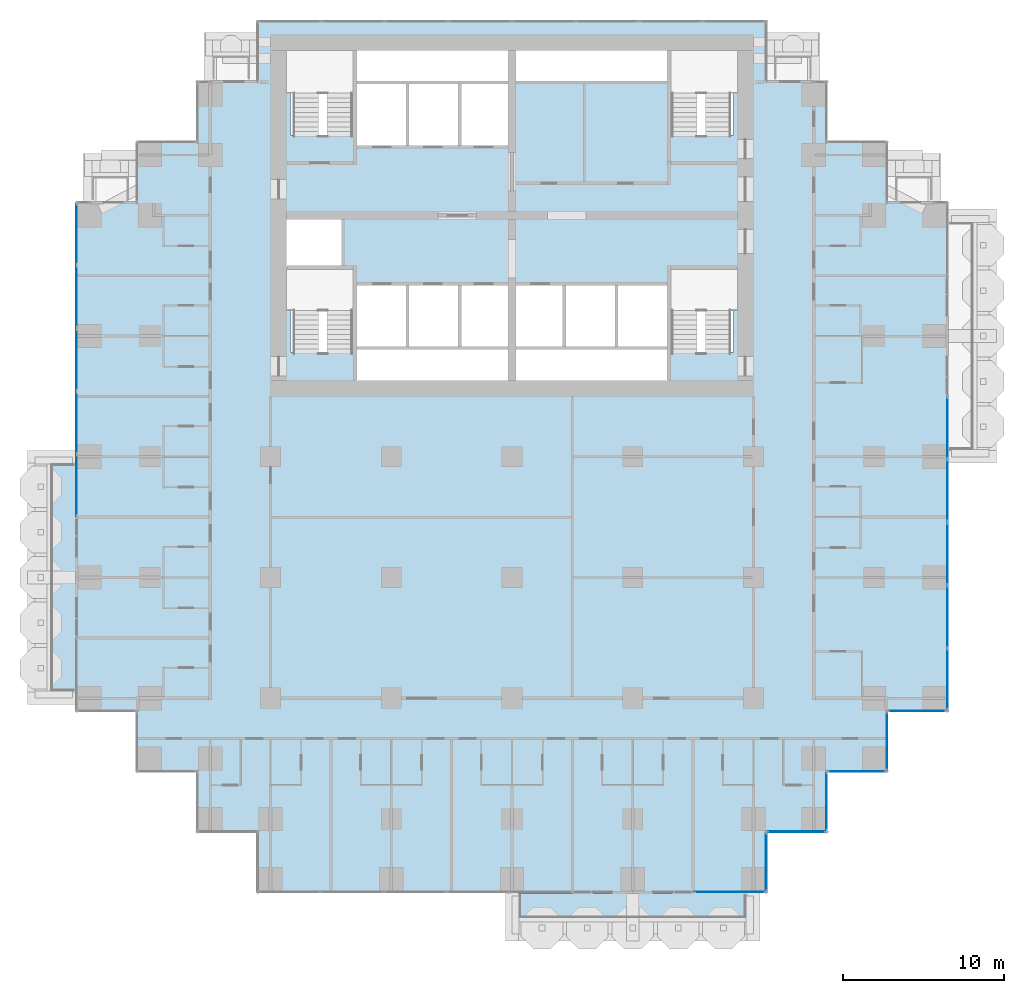
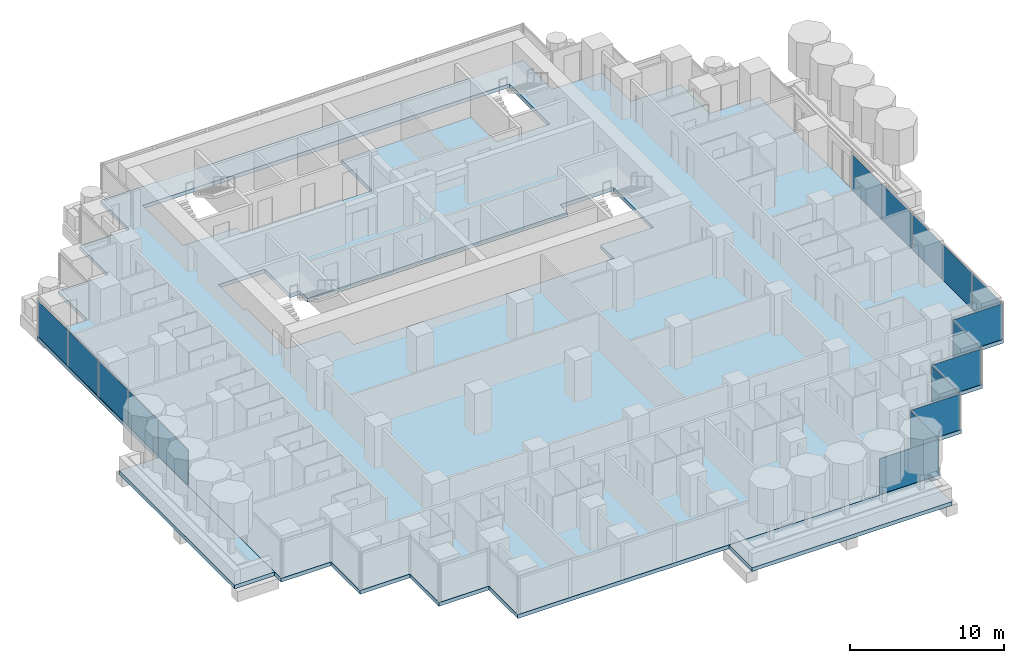
# One storey, part 8 of 20: 17 plates, 3 slabs, 11 elements without a shape of their own.
"""IFC4 building model written with IfcOpenShell, lengths in metres."""

import ifcopenshell
import ifcopenshell.guid

model = None  # the IFC model being written
_history = None  # IfcOwnerHistory: only IFC2X3 demands one
_inside = {}  # id of a spatial element -> (the spatial element, [elements in it])
_under = {}  # id of a project, library or spatial element -> (it, [spatial elements below it])
_declared = {}  # id of a project -> (the project, [libraries it declares])
_typed = {}  # id of a type object -> (the type object, [elements of that type])
_made_of = {}  # id of a material, layer set ... -> (it, [elements and type objects made of it])


def new_model(schema):
    """Start an empty IFC model of exactly this schema.

    Asked for "IFC4X3", IfcOpenShell would pick the latest addendum, in which some entities
    have other attributes; the version numbers below select the first issue.
    IFC2X3 requires an IfcOwnerHistory on every rooted entity: one is made here for all.
    """
    global model, _history
    if schema == "IFC4X3":
        model = ifcopenshell.file(schema_version=(4, 3, 0, 0))
    else:
        model = ifcopenshell.file(schema=schema)
    _inside.clear()
    _under.clear()
    _declared.clear()
    _typed.clear()
    _made_of.clear()
    _history = None
    if model.schema == "IFC2X3":
        org = make("IfcOrganization", Name="unknown")
        user = make(
            "IfcPersonAndOrganization",
            ThePerson=make("IfcPerson", FamilyName="unknown"),
            TheOrganization=org,
        )
        app = make(
            "IfcApplication",
            ApplicationDeveloper=org,
            Version="unknown",
            ApplicationFullName="unknown",
            ApplicationIdentifier="unknown",
        )
        _history = make(
            "IfcOwnerHistory",
            OwningUser=user,
            OwningApplication=app,
            ChangeAction="ADDED",
            CreationDate=0,
        )
    return model


def make(cls, **values):
    """One entity of the class cls with the attributes given. An attribute that is None is left unset."""
    return model.create_entity(
        cls, **{name: value for name, value in values.items() if value is not None}
    )


def rooted(cls, **values):
    """An entity with a GlobalId (a new one), such as an element, a storey or a relation."""
    return make(cls, GlobalId=ifcopenshell.guid.new(), OwnerHistory=_history, **values)


def si_unit(unit_type, name, prefix=None):
    """IfcSIUnit, for example si_unit("LENGTHUNIT", "METRE", prefix="MILLI")."""
    return make("IfcSIUnit", UnitType=unit_type, Prefix=prefix, Name=name)


def assignment(units):
    """IfcUnitAssignment: the units of a project."""
    return None if units is None else make("IfcUnitAssignment", Units=units)


def point(xyz):
    """IfcCartesianPoint."""
    return None if xyz is None else make("IfcCartesianPoint", Coordinates=xyz)


def direction(xyz):
    """IfcDirection."""
    return None if xyz is None else make("IfcDirection", DirectionRatios=xyz)


def frame(location, z_axis=None, x_axis=None):
    """IfcAxis2Placement3D, a coordinate frame: its origin and axes. An axis left out is left unset."""
    return make(
        "IfcAxis2Placement3D",
        Location=point(location),
        Axis=direction(z_axis),
        RefDirection=direction(x_axis),
    )


def frame_2d(location, x_axis=None):
    """IfcAxis2Placement2D, a coordinate frame in the plane: its origin and x axis."""
    return make(
        "IfcAxis2Placement2D", Location=point(location), RefDirection=direction(x_axis)
    )


def origin():
    """The frame at (0, 0, 0) with its axes left unset."""
    return frame((0.0, 0.0, 0.0))


def origin_2d():
    """The frame at (0, 0) in the plane with its x axis left unset."""
    return frame_2d((0.0, 0.0))


def place(relative_to, where):
    """IfcLocalPlacement: puts the frame where relative to a parent placement (None: the world)."""
    return make(
        "IfcLocalPlacement", PlacementRelTo=relative_to, RelativePlacement=where
    )


def context(
    kind, dimensions, precision=None, world=None, true_north=None, identifier=None
):
    """IfcGeometricRepresentationContext, for example the 3D "Model" context."""
    return make(
        "IfcGeometricRepresentationContext",
        ContextIdentifier=identifier,
        ContextType=kind,
        CoordinateSpaceDimension=dimensions,
        Precision=precision,
        WorldCoordinateSystem=world,
        TrueNorth=true_north,
    )


def subcontext(parent, identifier, kind, view, scale=None):
    """IfcGeometricRepresentationSubContext, for example "Body" below "Model"."""
    return make(
        "IfcGeometricRepresentationSubContext",
        ContextIdentifier=identifier,
        ContextType=kind,
        ParentContext=parent,
        TargetScale=scale,
        TargetView=view,
    )


def project(units=None, contexts=None):
    """IfcProject with its units and contexts."""
    return rooted(
        "IfcProject",
        Name="project",
        RepresentationContexts=contexts,
        UnitsInContext=assignment(units),
    )


def spatial(cls, under=None, at=None, **own):
    """A site, building, storey or space (cls), placed at a placement, below another one or the project."""
    s = rooted(cls, ObjectPlacement=at, **own)
    if under is not None:
        _under.setdefault(under.id(), (under, []))[1].append(s)
    return s


def polyline(points):
    """IfcPolyline through the points."""
    return make("IfcPolyline", Points=[point(p) for p in points])


def profile(cls, at=None, kind="AREA", **sizes):
    """A parametric profile (cls). Its sizes go by their IFC names, for example OverallWidth=200.0."""
    return make(cls, ProfileType=kind, Position=at, **sizes)


def rectangle(**sizes):
    """IfcRectangleProfileDef."""
    return profile("IfcRectangleProfileDef", **sizes)


def outline(outer, holes=None, kind="AREA"):
    """IfcArbitraryClosedProfileDef: a profile drawn as a closed curve; with holes, ...WithVoids."""
    if holes is None:
        return make("IfcArbitraryClosedProfileDef", ProfileType=kind, OuterCurve=outer)
    return make(
        "IfcArbitraryProfileDefWithVoids",
        ProfileType=kind,
        OuterCurve=outer,
        InnerCurves=holes,
    )


def extrude(swept, where, along, depth):
    """IfcExtrudedAreaSolid: the profile swept, set in the frame where, extruded along a direction by depth."""
    return make(
        "IfcExtrudedAreaSolid",
        SweptArea=swept,
        Position=where,
        ExtrudedDirection=direction(along),
        Depth=depth,
    )


def shape(context_of_items, identifier, shape_type, items):
    """IfcShapeRepresentation: the items that make up one representation, for example the "Body"."""
    return make(
        "IfcShapeRepresentation",
        ContextOfItems=context_of_items,
        RepresentationIdentifier=identifier,
        RepresentationType=shape_type,
        Items=items,
    )


def material(Name=None, Category=None):
    """IfcMaterial."""
    return make("IfcMaterial", Name=Name, Category=Category)


def layer(
    of_material, thickness, ventilated=None, Name=None, Category=None, Priority=None
):
    """IfcMaterialLayer: one layer of a wall or slab, of a material (None: an air gap)."""
    return make(
        "IfcMaterialLayer",
        Material=of_material,
        LayerThickness=thickness,
        IsVentilated=ventilated,
        Name=Name,
        Category=Category,
        Priority=Priority,
    )


def layer_set(layers, Name=None):
    """IfcMaterialLayerSet."""
    return make("IfcMaterialLayerSet", MaterialLayers=layers, LayerSetName=Name)


def made_of(thing, what):
    """Note that an element or type object is made of a material, layer set ...; save() writes the relation."""
    if what is not None:
        _made_of.setdefault(what.id(), (what, []))[1].append(thing)
    return thing


def type_object(cls, material=None, **own):
    """A type object (cls), such as IfcWallType, which elements share."""
    return made_of(rooted(cls, **own), material)


def element(
    cls,
    number,
    at=None,
    inside=None,
    cuts=None,
    type_object=None,
    material=None,
    context=None,
    identifier="Body",
    shape_type=None,
    held_by="IfcProductDefinitionShape",
    body=None,
    shapes=None,
    **own,
):
    """One element of the class cls, such as IfcWall. Its Tag is "e" and its number.

    at: its placement. inside: the storey or other place that contains it. cuts: it is an
    opening in that element (IfcRelVoidsElement). A single representation is given by context,
    identifier, shape_type and body (its items); several are given by shapes. held_by: the class
    of the entity that holds the representations. save() writes the other relations.
    """
    e = rooted(cls, Tag="e%d" % number, ObjectPlacement=at, **own)
    if body is not None:
        shapes = [shape(context, identifier, shape_type, body)]
    if shapes is not None:
        e.Representation = make(held_by, Representations=shapes)
    if inside is not None:
        _inside.setdefault(inside.id(), (inside, []))[1].append(e)
    if cuts is not None:
        rooted(
            "IfcRelVoidsElement", RelatingBuildingElement=cuts, RelatedOpeningElement=e
        )
    if type_object is not None:
        _typed.setdefault(type_object.id(), (type_object, []))[1].append(e)
    return made_of(e, material)


def aggregate(whole, parts):
    """IfcRelAggregates: a whole, such as a stair, and the parts it consists of."""
    return rooted("IfcRelAggregates", RelatingObject=whole, RelatedObjects=parts)


def save(model, path):
    """Write the relations noted so far, then the file.

    IfcRelAggregates (storeys below a building ...), IfcRelContainedInSpatialStructure (elements
    in a storey), IfcRelDefinesByType, IfcRelAssociatesMaterial and IfcRelDeclares: one each for
    every whole, place, type object, material and project.
    """
    for whole, parts in _under.values():
        aggregate(whole, parts)
    for where, things in _inside.values():
        rooted(
            "IfcRelContainedInSpatialStructure",
            RelatedElements=things,
            RelatingStructure=where,
        )
    for kind, things in _typed.values():
        rooted("IfcRelDefinesByType", RelatedObjects=things, RelatingType=kind)
    for what, things in _made_of.values():
        rooted("IfcRelAssociatesMaterial", RelatedObjects=things, RelatingMaterial=what)
    for by, libraries in _declared.values():
        rooted("IfcRelDeclares", RelatingContext=by, RelatedDefinitions=libraries)
    model.write(path)


model = new_model("IFC4")

# Units and contexts
model_context = context("Model", 3, precision=1e-05, world=origin(), true_north=direction((0.0, 1.0)))
body_context = subcontext(model_context, "Body", "Model", "MODEL_VIEW")
ifc_project = project(units=[si_unit("LENGTHUNIT", "METRE"), si_unit("AREAUNIT", "SQUARE_METRE"), si_unit("VOLUMEUNIT", "CUBIC_METRE"), si_unit("PLANEANGLEUNIT", "RADIAN"), si_unit("MASSUNIT", "GRAM", prefix="KILO")], contexts=[model_context])

# Site, building, storey
site_placement = place(None, origin())
site = spatial("IfcSite", under=ifc_project, at=site_placement, CompositionType="ELEMENT")
building_placement = place(site_placement, origin())
building = spatial("IfcBuilding", under=site, at=building_placement, Name="Pilkhan Gate Tower", CompositionType="ELEMENT")
storey_placement = place(building_placement, frame((0.0, 0.0, 85.699951171875)))
storey = spatial("IfcBuildingStorey", under=building, at=storey_placement, Name="L20", CompositionType="ELEMENT", Elevation=85.699951171875)

# Slabs
ifc_material_1 = material(Name="Concrete C60/75", Category="concrete")
ifc_layer_1 = layer(ifc_material_1, 0.300048828125)
ifc_layer_set_1 = layer_set([ifc_layer_1], Name="Balcony tray slab TR300")
slab_type_1 = type_object("IfcSlabType", Name="Balcony tray slab TR300", PredefinedType="FLOOR", material=ifc_layer_set_1)
slab_1_placement = place(storey_placement, frame((0.0, 0.0, -0.300048828125)))
element("IfcSlab", 1, at=slab_1_placement, inside=storey, type_object=slab_type_1, Name="Balcony tray L20 S", PredefinedType="FLOOR", context=body_context, shape_type="SweptSolid", body=[
    extrude(outline(polyline([(90.0, 37.39990234375), (90.0, 40.39990234375), (75.0, 40.39990234375), (75.0, 37.39990234375), (90.0, 37.39990234375)])), origin(), (0.0, 0.0, 1.0), 0.300048828125),
])
slab_2_placement = place(storey_placement, frame((0.0, 0.0, -0.300048828125)))
element("IfcSlab", 2, at=slab_2_placement, inside=storey, type_object=slab_type_1, Name="Balcony tray L20 W", PredefinedType="FLOOR", context=body_context, shape_type="SweptSolid", body=[
    extrude(outline(polyline([(47.89990234375, 52.5), (47.89990234375, 67.5), (44.89990234375, 67.5), (44.89990234375, 52.5), (47.89990234375, 52.5)])), origin(), (0.0, 0.0, 1.0), 0.300048828125),
])
ifc_material_2 = material(Name="Concrete C40/50", Category="concrete")
ifc_layer_2 = layer(ifc_material_2, 0.300048828125)
ifc_layer_set_2 = layer_set([ifc_layer_2], Name="Flat plate slab FP300")
slab_type_2 = type_object("IfcSlabType", Name="Flat plate slab FP300", PredefinedType="FLOOR", material=ifc_layer_set_2)
slab_3_placement = place(storey_placement, frame((0.0, 0.0, -0.300048828125)))
element("IfcSlab", 3, at=slab_3_placement, inside=storey, type_object=slab_type_2, Name="Floor slab L20", PredefinedType="FLOOR", context=body_context, shape_type="SweptSolid", body=[
    extrude(outline(polyline([(98.35009765625, 47.89990234375), (94.60009765625, 47.89990234375), (94.60009765625, 44.14990234375), (90.85009765625, 44.14990234375), (90.85009765625, 40.39990234375), (59.14990234375, 40.39990234375), (59.14990234375, 44.14990234375), (55.39990234375, 44.14990234375), (55.39990234375, 47.89990234375), (51.64990234375, 47.89990234375), (51.64990234375, 51.64990234375), (47.89990234375, 51.64990234375), (47.89990234375, 83.35009765625), (51.64990234375, 83.35009765625), (51.64990234375, 87.10009765625), (55.39990234375, 87.10009765625), (55.39990234375, 90.85009765625), (59.14990234375, 90.85009765625), (59.14990234375, 94.60009765625), (90.85009765625, 94.60009765625), (90.85009765625, 90.85009765625), (94.60009765625, 90.85009765625), (94.60009765625, 87.10009765625), (98.35009765625, 87.10009765625), (98.35009765625, 83.35009765625), (102.10009765625, 83.35009765625), (102.10009765625, 51.64990234375), (98.35009765625, 51.64990234375), (98.35009765625, 47.89990234375)]), holes=[polyline([(65.25, 87.5), (65.25, 86.75), (68.5, 86.75), (71.75, 86.75), (75.0, 86.75), (75.0, 90.75), (84.75, 90.75), (84.75, 87.5), (88.75, 87.5), (88.75, 92.75), (84.75, 92.75), (75.0, 92.75), (65.25, 92.75), (61.25, 92.75), (61.25, 87.5), (65.25, 87.5)]), polyline([(75.0, 72.25), (84.75, 72.25), (84.75, 74.0), (88.75, 74.0), (88.75, 79.25), (84.75, 79.25), (84.75, 78.25), (81.5, 78.25), (78.25, 78.25), (75.0, 78.25), (71.75, 78.25), (68.5, 78.25), (65.25, 78.25), (65.25, 79.25), (64.5, 79.25), (64.5, 82.5), (61.25, 82.5), (61.0, 82.5), (61.0, 79.25), (61.25, 79.25), (61.25, 74.0), (65.25, 74.0), (65.25, 72.25), (75.0, 72.25)])]), origin(), (0.0, 0.0, 1.0), 0.300048828125),
])

# Curtain wall, plates
ifc_material_3 = material(Name="Pale anodised aluminium, clear low-iron double glazing", Category="aluminium")
curtain_wall_type = type_object("IfcCurtainWallType", Name="Hotel unitised curtain wall CW-H", PredefinedType="USERDEFINED", material=ifc_material_3)
curtain_wall_1_placement = place(storey_placement, origin())
curtain_wall_1 = element("IfcCurtainWall", 4, at=curtain_wall_1_placement, inside=storey, type_object=curtain_wall_type, Name="Hotel unitised curtain wall CW-H L20 E", ObjectType="UNITISED CURTAIN WALL", PredefinedType="USERDEFINED")
ifc_material_4 = material(Name="Clear low-iron double glazing", Category="glass")
ifc_layer_3 = layer(ifc_material_4, 0.035888671875)
ifc_layer_set_3 = layer_set([ifc_layer_3], Name="Glass panel CW-H 36")
plate_type = type_object("IfcPlateType", Name="Glass panel CW-H 36", PredefinedType="CURTAIN_PANEL", material=ifc_layer_set_3)
plate_1_placement = place(storey_placement, frame((102.044921875, 53.67578125, 0.0), z_axis=(0.0, 0.0, 1.0), x_axis=(0.0, 1.0, 0.0)))
plate_1 = element("IfcPlate", 5, at=plate_1_placement, type_object=plate_type, Name="CW-H panel 1", PredefinedType="CURTAIN_PANEL", context=body_context, shape_type="SweptSolid", body=[
    extrude(rectangle(XDim=3.8115234375, YDim=0.035888671875, at=origin_2d()), origin(), (0.0, 0.0, 1.0), 2.820068359375),
])
plate_2_placement = place(storey_placement, frame((102.044921875, 57.568603515625, 0.0), z_axis=(0.0, 0.0, 1.0), x_axis=(0.0, 1.0, 0.0)))
plate_2 = element("IfcPlate", 6, at=plate_2_placement, type_object=plate_type, Name="CW-H panel 2", PredefinedType="CURTAIN_PANEL", context=body_context, shape_type="SweptSolid", body=[
    extrude(rectangle(XDim=3.843994140625, YDim=0.035888671875, at=origin_2d()), origin(), (0.0, 0.0, 1.0), 2.820068359375),
])
plate_3_placement = place(storey_placement, frame((102.044921875, 61.461181640625, 0.0), z_axis=(0.0, 0.0, 1.0), x_axis=(0.0, 1.0, 0.0)))
plate_3 = element("IfcPlate", 7, at=plate_3_placement, type_object=plate_type, Name="CW-H panel 3", PredefinedType="CURTAIN_PANEL", context=body_context, shape_type="SweptSolid", body=[
    extrude(rectangle(XDim=3.8115234375, YDim=0.035888671875, at=origin_2d()), origin(), (0.0, 0.0, 1.0), 2.820068359375),
])
aggregate(curtain_wall_1, [plate_1, plate_2, plate_3])

curtain_wall_2_placement = place(storey_placement, origin())
curtain_wall_2 = element("IfcCurtainWall", 8, at=curtain_wall_2_placement, inside=storey, type_object=curtain_wall_type, Name="Hotel unitised curtain wall CW-H L20 E", ObjectType="UNITISED CURTAIN WALL", PredefinedType="USERDEFINED")
plate_4_placement = place(storey_placement, frame((102.044921875, 65.40283203125, 0.0), z_axis=(0.0, 0.0, 1.0), x_axis=(0.0, 1.0, 0.0)))
plate_4 = element("IfcPlate", 9, at=plate_4_placement, type_object=plate_type, Name="CW-H panel 1", PredefinedType="CURTAIN_PANEL", context=body_context, shape_type="SweptSolid", body=[
    extrude(rectangle(XDim=3.8115234375, YDim=0.035888671875, at=origin_2d()), origin(), (0.0, 0.0, 1.0), 2.820068359375),
])
plate_5_placement = place(storey_placement, frame((102.044921875, 69.279296875, 0.0), z_axis=(0.0, 0.0, 1.0), x_axis=(0.0, 1.0, 0.0)))
plate_5 = element("IfcPlate", 10, at=plate_5_placement, type_object=plate_type, Name="CW-H panel 2", PredefinedType="CURTAIN_PANEL", context=body_context, shape_type="SweptSolid", body=[
    extrude(rectangle(XDim=3.8115234375, YDim=0.035888671875, at=origin_2d()), origin(), (0.0, 0.0, 1.0), 2.820068359375),
])
aggregate(curtain_wall_2, [plate_4, plate_5])

curtain_wall_3_placement = place(storey_placement, origin())
curtain_wall_3 = element("IfcCurtainWall", 11, at=curtain_wall_3_placement, inside=storey, type_object=curtain_wall_type, Name="Hotel unitised curtain wall CW-H L20 W", ObjectType="UNITISED CURTAIN WALL", PredefinedType="USERDEFINED")
plate_6_placement = place(storey_placement, frame((47.955078125, 65.720703125, 0.0), z_axis=(0.0, 0.0, 1.0), x_axis=(0.0, 1.0, 0.0)))
plate_6 = element("IfcPlate", 12, at=plate_6_placement, type_object=plate_type, Name="CW-H panel 1", PredefinedType="CURTAIN_PANEL", context=body_context, shape_type="SweptSolid", body=[
    extrude(rectangle(XDim=3.8115234375, YDim=0.035888671875, at=origin_2d()), origin(), (0.0, 0.0, 1.0), 2.820068359375),
])
plate_7_placement = place(storey_placement, frame((47.955078125, 69.613525390625, 0.0), z_axis=(0.0, 0.0, 1.0), x_axis=(0.0, 1.0, 0.0)))
plate_7 = element("IfcPlate", 13, at=plate_7_placement, type_object=plate_type, Name="CW-H panel 2", PredefinedType="CURTAIN_PANEL", context=body_context, shape_type="SweptSolid", body=[
    extrude(rectangle(XDim=3.843994140625, YDim=0.035888671875, at=origin_2d()), origin(), (0.0, 0.0, 1.0), 2.820068359375),
])
plate_8_placement = place(storey_placement, frame((47.955078125, 73.50634765625, 0.0), z_axis=(0.0, 0.0, 1.0), x_axis=(0.0, 1.0, 0.0)))
plate_8 = element("IfcPlate", 14, at=plate_8_placement, type_object=plate_type, Name="CW-H panel 3", PredefinedType="CURTAIN_PANEL", context=body_context, shape_type="SweptSolid", body=[
    extrude(rectangle(XDim=3.8115234375, YDim=0.035888671875, at=origin_2d()), origin(), (0.0, 0.0, 1.0), 2.820068359375),
])
aggregate(curtain_wall_3, [plate_6, plate_7, plate_8])

curtain_wall_4_placement = place(storey_placement, origin())
curtain_wall_4 = element("IfcCurtainWall", 15, at=curtain_wall_4_placement, inside=storey, type_object=curtain_wall_type, Name="Hotel unitised curtain wall CW-H L20 W", ObjectType="UNITISED CURTAIN WALL", PredefinedType="USERDEFINED")
plate_9_placement = place(storey_placement, frame((47.955078125, 77.44775390625, 0.0), z_axis=(0.0, 0.0, 1.0), x_axis=(0.0, 1.0, 0.0)))
plate_9 = element("IfcPlate", 16, at=plate_9_placement, type_object=plate_type, Name="CW-H panel 1", PredefinedType="CURTAIN_PANEL", context=body_context, shape_type="SweptSolid", body=[
    extrude(rectangle(XDim=3.8115234375, YDim=0.035888671875, at=origin_2d()), origin(), (0.0, 0.0, 1.0), 2.820068359375),
])
plate_10_placement = place(storey_placement, frame((47.955078125, 81.32421875, 0.0), z_axis=(0.0, 0.0, 1.0), x_axis=(0.0, 1.0, 0.0)))
plate_10 = element("IfcPlate", 17, at=plate_10_placement, type_object=plate_type, Name="CW-H panel 2", PredefinedType="CURTAIN_PANEL", context=body_context, shape_type="SweptSolid", body=[
    extrude(rectangle(XDim=3.8115234375, YDim=0.035888671875, at=origin_2d()), origin(), (0.0, 0.0, 1.0), 2.820068359375),
])
aggregate(curtain_wall_4, [plate_9, plate_10])

# Curtain wall, plate
curtain_wall_5_placement = place(storey_placement, origin())
curtain_wall_5 = element("IfcCurtainWall", 18, at=curtain_wall_5_placement, inside=storey, type_object=curtain_wall_type, Name="Hotel unitised curtain wall CW-H L20 S", ObjectType="UNITISED CURTAIN WALL", PredefinedType="USERDEFINED")
plate_11_placement = place(storey_placement, frame((88.5224609375, 40.455078125, 0.0), z_axis=(0.0, 0.0, 1.0), x_axis=(1.0, 0.0, 0.0)))
plate_11 = element("IfcPlate", 19, at=plate_11_placement, type_object=plate_type, Name="CW-H panel 1", PredefinedType="CURTAIN_PANEL", context=body_context, shape_type="SweptSolid", body=[
    extrude(rectangle(XDim=4.4150390625, YDim=0.035888671875, at=origin_2d()), origin(), (0.0, 0.0, 1.0), 2.820068359375),
])
aggregate(curtain_wall_5, [plate_11])

curtain_wall_6_placement = place(storey_placement, origin())
curtain_wall_6 = element("IfcCurtainWall", 20, at=curtain_wall_6_placement, inside=storey, type_object=curtain_wall_type, Name="Hotel unitised curtain wall CW-H L20 E", ObjectType="UNITISED CURTAIN WALL", PredefinedType="USERDEFINED")
plate_12_placement = place(storey_placement, frame((90.794921875, 42.330078125, 0.0), z_axis=(0.0, 0.0, 1.0), x_axis=(0.0, 1.0, 0.0)))
plate_12 = element("IfcPlate", 21, at=plate_12_placement, type_object=plate_type, Name="CW-H panel 1", PredefinedType="CURTAIN_PANEL", context=body_context, shape_type="SweptSolid", body=[
    extrude(rectangle(XDim=3.6201171875, YDim=0.035888671875, at=origin_2d()), origin(), (0.0, 0.0, 1.0), 2.820068359375),
])
aggregate(curtain_wall_6, [plate_12])

curtain_wall_7_placement = place(storey_placement, origin())
curtain_wall_7 = element("IfcCurtainWall", 22, at=curtain_wall_7_placement, inside=storey, type_object=curtain_wall_type, Name="Hotel unitised curtain wall CW-H L20 S", ObjectType="UNITISED CURTAIN WALL", PredefinedType="USERDEFINED")
plate_13_placement = place(storey_placement, frame((92.669921875, 44.205078125, 0.0), z_axis=(0.0, 0.0, 1.0), x_axis=(1.0, 0.0, 0.0)))
plate_13 = element("IfcPlate", 23, at=plate_13_placement, type_object=plate_type, Name="CW-H panel 1", PredefinedType="CURTAIN_PANEL", context=body_context, shape_type="SweptSolid", body=[
    extrude(rectangle(XDim=3.6201171875, YDim=0.035888671875, at=origin_2d()), origin(), (0.0, 0.0, 1.0), 2.820068359375),
])
aggregate(curtain_wall_7, [plate_13])

curtain_wall_8_placement = place(storey_placement, origin())
curtain_wall_8 = element("IfcCurtainWall", 24, at=curtain_wall_8_placement, inside=storey, type_object=curtain_wall_type, Name="Hotel unitised curtain wall CW-H L20 E", ObjectType="UNITISED CURTAIN WALL", PredefinedType="USERDEFINED")
plate_14_placement = place(storey_placement, frame((94.544921875, 46.080078125, 0.0), z_axis=(0.0, 0.0, 1.0), x_axis=(0.0, 1.0, 0.0)))
plate_14 = element("IfcPlate", 25, at=plate_14_placement, type_object=plate_type, Name="CW-H panel 1", PredefinedType="CURTAIN_PANEL", context=body_context, shape_type="SweptSolid", body=[
    extrude(rectangle(XDim=3.6201171875, YDim=0.035888671875, at=origin_2d()), origin(), (0.0, 0.0, 1.0), 2.820068359375),
])
aggregate(curtain_wall_8, [plate_14])

curtain_wall_9_placement = place(storey_placement, origin())
curtain_wall_9 = element("IfcCurtainWall", 26, at=curtain_wall_9_placement, inside=storey, type_object=curtain_wall_type, Name="Hotel unitised curtain wall CW-H L20 S", ObjectType="UNITISED CURTAIN WALL", PredefinedType="USERDEFINED")
plate_15_placement = place(storey_placement, frame((96.419921875, 47.955078125, 0.0), z_axis=(0.0, 0.0, 1.0), x_axis=(1.0, 0.0, 0.0)))
plate_15 = element("IfcPlate", 27, at=plate_15_placement, type_object=plate_type, Name="CW-H panel 1", PredefinedType="CURTAIN_PANEL", context=body_context, shape_type="SweptSolid", body=[
    extrude(rectangle(XDim=3.6201171875, YDim=0.035888671875, at=origin_2d()), origin(), (0.0, 0.0, 1.0), 2.820068359375),
])
aggregate(curtain_wall_9, [plate_15])

curtain_wall_10_placement = place(storey_placement, origin())
curtain_wall_10 = element("IfcCurtainWall", 28, at=curtain_wall_10_placement, inside=storey, type_object=curtain_wall_type, Name="Hotel unitised curtain wall CW-H L20 E", ObjectType="UNITISED CURTAIN WALL", PredefinedType="USERDEFINED")
plate_16_placement = place(storey_placement, frame((98.294921875, 49.830078125, 0.0), z_axis=(0.0, 0.0, 1.0), x_axis=(0.0, 1.0, 0.0)))
plate_16 = element("IfcPlate", 29, at=plate_16_placement, type_object=plate_type, Name="CW-H panel 1", PredefinedType="CURTAIN_PANEL", context=body_context, shape_type="SweptSolid", body=[
    extrude(rectangle(XDim=3.6201171875, YDim=0.035888671875, at=origin_2d()), origin(), (0.0, 0.0, 1.0), 2.820068359375),
])
aggregate(curtain_wall_10, [plate_16])

curtain_wall_11_placement = place(storey_placement, origin())
curtain_wall_11 = element("IfcCurtainWall", 30, at=curtain_wall_11_placement, inside=storey, type_object=curtain_wall_type, Name="Hotel unitised curtain wall CW-H L20 S", ObjectType="UNITISED CURTAIN WALL", PredefinedType="USERDEFINED")
plate_17_placement = place(storey_placement, frame((100.169921875, 51.705078125, 0.0), z_axis=(0.0, 0.0, 1.0), x_axis=(1.0, 0.0, 0.0)))
plate_17 = element("IfcPlate", 31, at=plate_17_placement, type_object=plate_type, Name="CW-H panel 1", PredefinedType="CURTAIN_PANEL", context=body_context, shape_type="SweptSolid", body=[
    extrude(rectangle(XDim=3.6201171875, YDim=0.035888671875, at=origin_2d()), origin(), (0.0, 0.0, 1.0), 2.820068359375),
])
aggregate(curtain_wall_11, [plate_17])

save(model, "model.ifc")
